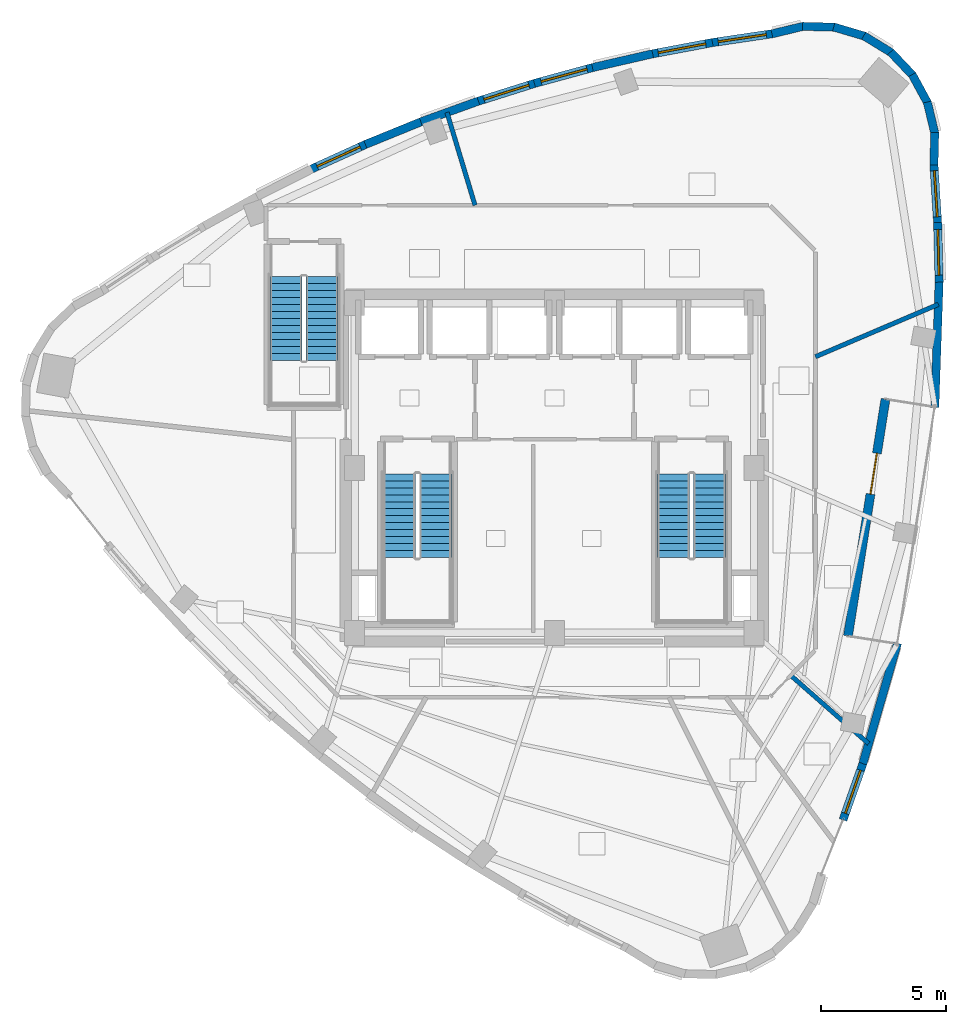
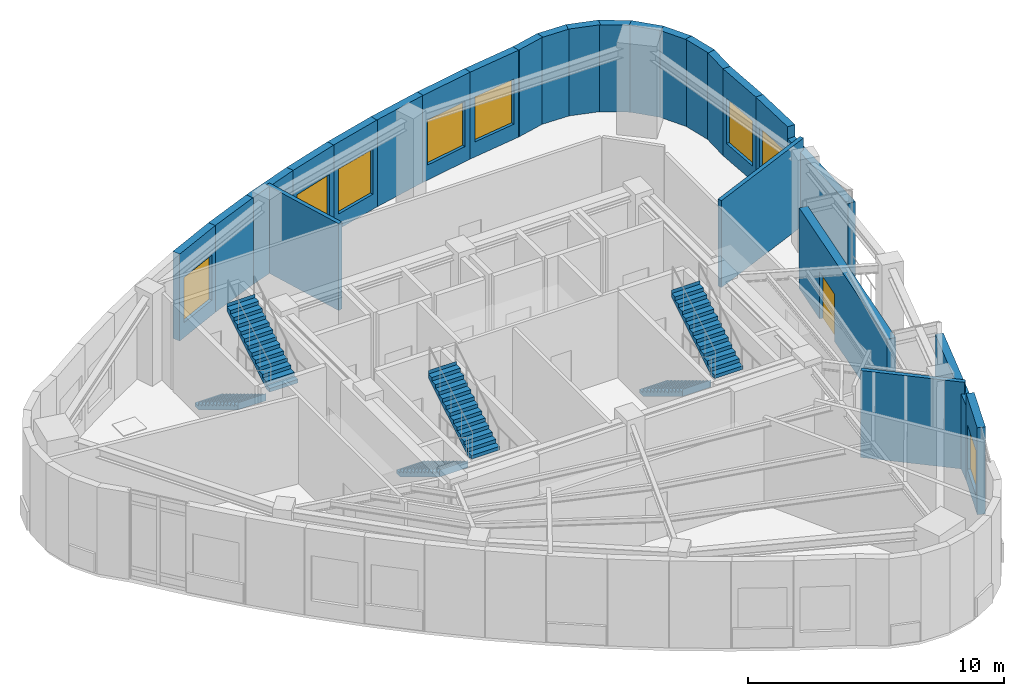
# One storey, part 11 of 14: 25 walls, 8 windows, 6 stair flights, 1 door, 9 openings, 3 elements without a shape of their own.
"""IFC4 building model written with IfcOpenShell, lengths in metres."""

from ifc_helpers import new_model, si_unit, direction, frame, frame_2d, origin, place, context, subcontext, project, spatial, polyline, rectangle, outline, extrude, material, layer, layer_set, type_object, element, fill, aggregate, save


model = new_model("IFC4")

# Units and contexts
model_context = context("Model", 3, precision=1e-05, world=origin(), true_north=direction((0.0, 1.0)))
body_context = subcontext(model_context, "Body", "Model", "MODEL_VIEW")
ifc_project = project(units=[si_unit("LENGTHUNIT", "METRE"), si_unit("AREAUNIT", "SQUARE_METRE"), si_unit("VOLUMEUNIT", "CUBIC_METRE"), si_unit("PLANEANGLEUNIT", "RADIAN"), si_unit("MASSUNIT", "GRAM", prefix="KILO")], contexts=[model_context])

# Site, building, storey
site_placement = place(None, origin())
site = spatial("IfcSite", under=ifc_project, at=site_placement, CompositionType="ELEMENT")
building_placement = place(site_placement, origin())
building = spatial("IfcBuilding", under=site, at=building_placement, Name="Ndelora Gate Hotel", CompositionType="ELEMENT")
storey_placement = place(building_placement, frame((0.0, 0.0, 277.199951171875)))
storey = spatial("IfcBuildingStorey", under=building, at=storey_placement, Name="L69", CompositionType="ELEMENT", Elevation=277.199951171875)

# Walls
ifc_material_1 = material(Name="Acoustic Double-Stud Gypsum Assembly", Category="gypsum")
ifc_layer_1 = layer(ifc_material_1, 0.179931640625)
ifc_layer_set_1 = layer_set([ifc_layer_1], Name="Acoustic Double-Stud Gypsum Assembly")
wall_type_1 = type_object("IfcWallType", Name="WL-ACOUST-180", PredefinedType="PARTITIONING", material=ifc_layer_set_1)
wall_1_placement = place(storey_placement, frame((9.464111328125, -8.3037109375, 0.0), z_axis=(0.0, 0.0, 1.0), x_axis=(0.75169660728, -0.659509067871, 0.0)))
element("IfcWall", 1, at=wall_1_placement, inside=storey, type_object=wall_type_1, Name="L69 Interior Wall IW-3", PredefinedType="PARTITIONING", context=body_context, shape_type="SweptSolid", body=[
    extrude(rectangle(XDim=4.14453125, YDim=0.179931640625, at=frame_2d((2.072265625, 0.0))), origin(), (0.0, 0.0, 1.0), 4.150146484375),
])
wall_2_placement = place(storey_placement, frame((10.449951171875, 4.455810546875, 0.0), z_axis=(0.0, 0.0, 1.0), x_axis=(0.919881986763, 0.392195270789, 0.0)))
element("IfcWall", 2, at=wall_2_placement, inside=storey, type_object=wall_type_1, Name="L69 Interior Wall IW-3", PredefinedType="PARTITIONING", context=body_context, shape_type="SweptSolid", body=[
    extrude(rectangle(XDim=5.3515625, YDim=0.179931640625, at=frame_2d((2.67578125, 0.0))), origin(), (0.0, 0.0, 1.0), 4.150146484375),
])
wall_3_placement = place(storey_placement, frame((-3.178955078125, 10.52001953125, 0.0), z_axis=(0.0, 0.0, 1.0), x_axis=(-0.289285022423, 0.957243007706, 0.0)))
element("IfcWall", 3, at=wall_3_placement, inside=storey, type_object=wall_type_1, Name="L69 Interior Wall IW-3", PredefinedType="PARTITIONING", context=body_context, shape_type="SweptSolid", body=[
    extrude(rectangle(XDim=3.8837890625, YDim=0.179931640625, at=frame_2d((1.94189453125, 0.0))), origin(), (0.0, 0.0, 1.0), 4.150146484375),
])

# Wall, opening, window
ifc_material_2 = material(Name="Clay Brick Masonry", Category="masonry")
ifc_layer_2 = layer(ifc_material_2, 0.330078125)
ifc_layer_set_2 = layer_set([ifc_layer_2], Name="Clay Brick Masonry")
wall_type_2 = type_object("IfcWallType", Name="WL-BRICK-330", PredefinedType="SOLIDWALL", material=ifc_layer_set_2)
wall_4_placement = place(storey_placement, frame((12.351806640625, -11.8359375, 0.0), z_axis=(0.0, 0.0, 1.0), x_axis=(-0.333391562563, -0.942788452418, 0.0)))
wall_4 = element("IfcWall", 4, at=wall_4_placement, inside=storey, type_object=wall_type_2, Name="L69 Tower Brick Pier-and-Spandrel Wall TWR-30", PredefinedType="SOLIDWALL", context=body_context, shape_type="SweptSolid", body=[
    extrude(rectangle(XDim=2.390869140625, YDim=0.330078125, at=frame_2d((1.1953125, 0.0))), origin(), (0.0, 0.0, 1.0), 4.150146484375),
])
opening_1_placement = place(wall_4_placement, frame((0.280517578125, 0.0, 0.719970703125)))
opening_1 = element("IfcOpeningElement", 5, at=opening_1_placement, cuts=wall_4, Name="Opening W05", PredefinedType="OPENING", context=body_context, shape_type="SweptSolid", body=[
    extrude(rectangle(XDim=1.830078125, YDim=2.14990234375, at=frame_2d((0.9150390625, 1.074951171875))), frame((0.0, 0.175048828125, 0.0), z_axis=(0.0, -1.0, 0.0), x_axis=(1.0, 0.0, 0.0)), (0.0, 0.0, 1.0), 0.35009765625),
])
ifc_material_3 = material(Name="Insulated Low-E Double Glazing in Bronze Aluminium Frame", Category="aluminium")
window_type = type_object("IfcWindowType", Name="WN-SKY-2000", PartitioningType="SINGLE_PANEL", PredefinedType="WINDOW", material=ifc_material_3)
window_1_placement = place(opening_1_placement, origin())
window_1 = element("IfcWindow", 6, at=window_1_placement, inside=storey, type_object=window_type, Name="L69 Deep-Set Brick-Pier Window W05", OverallHeight=2.14990234375, OverallWidth=1.830078125, PartitioningType="SINGLE_PANEL", PredefinedType="WINDOW", context=body_context, shape_type="SweptSolid", body=[
    extrude(rectangle(XDim=1.830078125, YDim=2.14990234375, at=frame_2d((0.9150390625, 1.074951171875))), frame((0.0, 0.030029296875, 0.0), z_axis=(0.0, -1.0, 0.0), x_axis=(1.0, 0.0, 0.0)), (0.0, 0.0, 1.0), 0.06005859375),
])
fill(opening_1, window_1)

# Walls
for number, where, z_axis, x_axis, name in (
    (7, (13.736572265625, -7.010498046875, 0.0), (0.0, 0.0, 1.0), (-0.276151755944, -0.9611140451, 0.0), "L69 Tower Brick Pier-and-Spandrel Wall TWR-31"),
    (8, (15.40478515625, 7.48974609375, 0.0), (0.0, 0.0, 1.0), (-0.034379356457, -0.999408855199, 0.0), "L69 Tower Brick Pier-and-Spandrel Wall TWR-36"),
):
    element("IfcWall", number, at=place(storey_placement, frame(where, z_axis=z_axis, x_axis=x_axis)), inside=storey, type_object=wall_type_2, Name=name, PredefinedType="SOLIDWALL", context=body_context, shape_type="SweptSolid", body=[
        extrude(rectangle(XDim=5.0703125, YDim=0.330078125, at=frame_2d((2.53515625, 0.0))), origin(), (0.0, 0.0, 1.0), 3.580078125),
    ])

# Wall, opening, window
wall_5_placement = place(storey_placement, frame((15.34326171875, 9.829833984375, 0.0), z_axis=(0.0, 0.0, 1.0), x_axis=(0.025629984269, -0.999671497996, 0.0)))
wall_5 = element("IfcWall", 9, at=wall_5_placement, inside=storey, type_object=wall_type_2, Name="L69 Tower Brick Pier-and-Spandrel Wall TWR-37", PredefinedType="SOLIDWALL", context=body_context, shape_type="SweptSolid", body=[
    extrude(rectangle(XDim=2.390869140625, YDim=0.330078125, at=frame_2d((1.1953125, 0.0))), origin(), (0.0, 0.0, 1.0), 4.150146484375),
])
opening_2_placement = place(wall_5_placement, frame((0.280517578125, 0.0, 0.719970703125)))
opening_2 = element("IfcOpeningElement", 10, at=opening_2_placement, cuts=wall_5, Name="Opening W05", PredefinedType="OPENING", context=body_context, shape_type="SweptSolid", body=[
    extrude(rectangle(XDim=1.830078125, YDim=2.14990234375, at=frame_2d((0.9150390625, 1.074951171875))), frame((0.0, 0.175048828125, 0.0), z_axis=(0.0, -1.0, 0.0), x_axis=(1.0, 0.0, 0.0)), (0.0, 0.0, 1.0), 0.35009765625),
])
window_2_placement = place(opening_2_placement, origin())
window_2 = element("IfcWindow", 11, at=window_2_placement, inside=storey, type_object=window_type, Name="L69 Deep-Set Brick-Pier Window W05", OverallHeight=2.14990234375, OverallWidth=1.830078125, PartitioningType="SINGLE_PANEL", PredefinedType="WINDOW", context=body_context, shape_type="SweptSolid", body=[
    extrude(rectangle(XDim=1.830078125, YDim=2.14990234375, at=frame_2d((0.9150390625, 1.074951171875))), frame((0.0, 0.030029296875, 0.0), z_axis=(0.0, -1.0, 0.0), x_axis=(1.0, 0.0, 0.0)), (0.0, 0.0, 1.0), 0.06005859375),
])
fill(opening_2, window_2)

wall_6_placement = place(storey_placement, frame((15.193359375, 12.183837890625, 0.0), z_axis=(0.0, 0.0, 1.0), x_axis=(0.063141753452, -0.998004568612, 0.0)))
wall_6 = element("IfcWall", 12, at=wall_6_placement, inside=storey, type_object=wall_type_2, Name="L69 Tower Brick Pier-and-Spandrel Wall TWR-38", PredefinedType="SOLIDWALL", context=body_context, shape_type="SweptSolid", body=[
    extrude(rectangle(XDim=2.408935546875, YDim=0.330078125, at=frame_2d((1.20458984375, 0.0))), origin(), (0.0, 0.0, 1.0), 4.150146484375),
])
opening_3_placement = place(wall_6_placement, frame((0.279296875, 0.0, 0.719970703125)))
opening_3 = element("IfcOpeningElement", 13, at=opening_3_placement, cuts=wall_6, Name="Opening W05", PredefinedType="OPENING", context=body_context, shape_type="SweptSolid", body=[
    extrude(rectangle(XDim=1.85009765625, YDim=2.14990234375, at=frame_2d((0.925048828125, 1.074951171875))), frame((0.0, 0.175048828125, 0.0), z_axis=(0.0, -1.0, 0.0), x_axis=(1.0, 0.0, 0.0)), (0.0, 0.0, 1.0), 0.35009765625),
])
window_3_placement = place(opening_3_placement, origin())
window_3 = element("IfcWindow", 14, at=window_3_placement, inside=storey, type_object=window_type, Name="L69 Deep-Set Brick-Pier Window W05", OverallHeight=2.14990234375, OverallWidth=1.85009765625, PartitioningType="SINGLE_PANEL", PredefinedType="WINDOW", context=body_context, shape_type="SweptSolid", body=[
    extrude(rectangle(XDim=1.85009765625, YDim=2.14990234375, at=frame_2d((0.925048828125, 1.074951171875))), frame((0.0, 0.030029296875, 0.0), z_axis=(0.0, -1.0, 0.0), x_axis=(1.0, 0.0, 0.0)), (0.0, 0.0, 1.0), 0.06005859375),
])
fill(opening_3, window_3)

# Walls
wall_7_placement = place(storey_placement, frame((15.228515625, 13.4365234375, 0.0), z_axis=(0.0, 0.0, 1.0), x_axis=(-0.026227855826, -0.999655990618, 0.0)))
element("IfcWall", 15, at=wall_7_placement, inside=storey, type_object=wall_type_2, Name="L69 Tower Brick Pier-and-Spandrel Wall TWR-39", PredefinedType="SOLIDWALL", context=body_context, shape_type="SweptSolid", body=[
    extrude(rectangle(XDim=1.30322265625, YDim=0.330078125, at=frame_2d((0.651611328125, 0.0))), origin(), (0.0, 0.0, 1.0), 4.150146484375),
])
wall_8_placement = place(storey_placement, frame((14.929443359375, 14.654296875, 0.0), z_axis=(0.0, 0.0, 1.0), x_axis=(0.233443812137, -0.972370292931, 0.0)))
element("IfcWall", 16, at=wall_8_placement, inside=storey, type_object=wall_type_2, Name="L69 Tower Brick Pier-and-Spandrel Wall TWR-40", PredefinedType="SOLIDWALL", context=body_context, shape_type="SweptSolid", body=[
    extrude(rectangle(XDim=1.302978515625, YDim=0.330078125, at=frame_2d((0.6513671875, 0.0))), origin(), (0.0, 0.0, 1.0), 4.150146484375),
])
for number, where, z_axis, x_axis, name in (
    (17, (14.325439453125, 15.753173828125, 0.0), (0.0, 0.0, 1.0), (0.477158009766, -0.878817520146, 0.0), "L69 Tower Brick Pier-and-Spandrel Wall TWR-41"),
    (18, (13.45751953125, 16.658203125, 0.0), (0.0, 0.0, 1.0), (0.688316050819, -0.725410927809, 0.0), "L69 Tower Brick Pier-and-Spandrel Wall TWR-42"),
    (19, (12.385009765625, 17.307861328125, 0.0), (0.0, 0.0, 1.0), (0.852628177474, -0.522518125022, 0.0), "L69 Tower Brick Pier-and-Spandrel Wall TWR-43"),
    (20, (11.180908203125, 17.65771484375, 0.0), (0.0, 0.0, 1.0), (0.958820789243, -0.284011785169, 0.0), "L69 Tower Brick Pier-and-Spandrel Wall TWR-44"),
    (21, (9.92724609375, 17.68408203125, 0.0), (0.0, 0.0, 1.0), (0.999655990618, -0.026227855826, 0.0), "L69 Tower Brick Pier-and-Spandrel Wall TWR-45"),
):
    element("IfcWall", number, at=place(storey_placement, frame(where, z_axis=z_axis, x_axis=x_axis)), inside=storey, type_object=wall_type_2, Name=name, PredefinedType="SOLIDWALL", context=body_context, shape_type="SweptSolid", body=[
        extrude(rectangle(XDim=1.30322265625, YDim=0.330078125, at=frame_2d((0.651611328125, 0.0))), origin(), (0.0, 0.0, 1.0), 4.150146484375),
    ])
wall_9_placement = place(storey_placement, frame((8.709716796875, 17.385009765625, 0.0), z_axis=(0.0, 0.0, 1.0), x_axis=(0.972360080062, 0.233486347997, 0.0)))
element("IfcWall", 22, at=wall_9_placement, inside=storey, type_object=wall_type_2, Name="L69 Tower Brick Pier-and-Spandrel Wall TWR-46", PredefinedType="SOLIDWALL", context=body_context, shape_type="SweptSolid", body=[
    extrude(rectangle(XDim=1.302978515625, YDim=0.330078125, at=frame_2d((0.6513671875, 0.0))), origin(), (0.0, 0.0, 1.0), 4.150146484375),
])

# Wall, opening, window
wall_10_placement = place(storey_placement, frame((6.279296875, 17.027099609375, 0.0), z_axis=(0.0, 0.0, 1.0), x_axis=(0.989195615859, 0.146601615152, 0.0)))
wall_10 = element("IfcWall", 23, at=wall_10_placement, inside=storey, type_object=wall_type_2, Name="L69 Tower Brick Pier-and-Spandrel Wall TWR-47", PredefinedType="SOLIDWALL", context=body_context, shape_type="SweptSolid", body=[
    extrude(rectangle(XDim=2.50634765625, YDim=0.330078125, at=frame_2d((1.253173828125, 0.0))), origin(), (0.0, 0.0, 1.0), 4.150146484375),
])
opening_4_placement = place(wall_10_placement, frame((0.2783203125, 0.0, 0.719970703125)))
opening_4 = element("IfcOpeningElement", 24, at=opening_4_placement, cuts=wall_10, Name="Opening W05", PredefinedType="OPENING", context=body_context, shape_type="SweptSolid", body=[
    extrude(rectangle(XDim=1.949951171875, YDim=2.14990234375, at=frame_2d((0.97509765625, 1.074951171875))), frame((0.0, 0.175048828125, 0.0), z_axis=(0.0, -1.0, 0.0), x_axis=(1.0, 0.0, 0.0)), (0.0, 0.0, 1.0), 0.35009765625),
])
window_4_placement = place(opening_4_placement, origin())
window_4 = element("IfcWindow", 25, at=window_4_placement, inside=storey, type_object=window_type, Name="L69 Deep-Set Brick-Pier Window W05", OverallHeight=2.14990234375, OverallWidth=1.949951171875, PartitioningType="SINGLE_PANEL", PredefinedType="WINDOW", context=body_context, shape_type="SweptSolid", body=[
    extrude(rectangle(XDim=1.949951171875, YDim=2.14990234375, at=frame_2d((0.97509765625, 1.074951171875))), frame((0.0, 0.030029296875, 0.0), z_axis=(0.0, -1.0, 0.0), x_axis=(1.0, 0.0, 0.0)), (0.0, 0.0, 1.0), 0.06005859375),
])
fill(opening_4, window_4)

wall_11_placement = place(storey_placement, frame((3.884033203125, 16.575439453125, 0.0), z_axis=(0.0, 0.0, 1.0), x_axis=(0.982755323562, 0.184910719024, 0.0)))
wall_11 = element("IfcWall", 26, at=wall_11_placement, inside=storey, type_object=wall_type_2, Name="L69 Tower Brick Pier-and-Spandrel Wall TWR-48", PredefinedType="SOLIDWALL", context=body_context, shape_type="SweptSolid", body=[
    extrude(rectangle(XDim=2.487548828125, YDim=0.330078125, at=frame_2d((1.24365234375, 0.0))), origin(), (0.0, 0.0, 1.0), 4.150146484375),
])
opening_5_placement = place(wall_11_placement, frame((0.27880859375, 0.0, 0.719970703125)))
opening_5 = element("IfcOpeningElement", 27, at=opening_5_placement, cuts=wall_11, Name="Opening W05", PredefinedType="OPENING", context=body_context, shape_type="SweptSolid", body=[
    extrude(rectangle(XDim=1.929931640625, YDim=2.14990234375, at=frame_2d((0.96484375, 1.074951171875))), frame((0.0, 0.175048828125, 0.0), z_axis=(0.0, -1.0, 0.0), x_axis=(1.0, 0.0, 0.0)), (0.0, 0.0, 1.0), 0.35009765625),
])
window_5_placement = place(opening_5_placement, origin())
window_5 = element("IfcWindow", 28, at=window_5_placement, inside=storey, type_object=window_type, Name="L69 Deep-Set Brick-Pier Window W05", OverallHeight=2.14990234375, OverallWidth=1.929931640625, PartitioningType="SINGLE_PANEL", PredefinedType="WINDOW", context=body_context, shape_type="SweptSolid", body=[
    extrude(rectangle(XDim=1.929931640625, YDim=2.14990234375, at=frame_2d((0.96484375, 1.074951171875))), frame((0.0, 0.030029296875, 0.0), z_axis=(0.0, -1.0, 0.0), x_axis=(1.0, 0.0, 0.0)), (0.0, 0.0, 1.0), 0.06005859375),
])
fill(opening_5, window_5)

# Wall
wall_12_placement = place(storey_placement, frame((1.523681640625, 16.032958984375, 0.0), z_axis=(0.0, 0.0, 1.0), x_axis=(0.974681670362, 0.223597051545, 0.0)))
element("IfcWall", 29, at=wall_12_placement, inside=storey, type_object=wall_type_2, Name="L69 Tower Brick Pier-and-Spandrel Wall TWR-49", PredefinedType="SOLIDWALL", context=body_context, shape_type="SweptSolid", body=[
    extrude(rectangle(XDim=2.471923828125, YDim=0.330078125, at=frame_2d((1.23583984375, 0.0))), origin(), (0.0, 0.0, 1.0), 4.150146484375),
])

# Wall, opening, window
wall_13_placement = place(storey_placement, frame((-0.801513671875, 15.3994140625, 0.0), z_axis=(0.0, 0.0, 1.0), x_axis=(0.964933096461, 0.262495941596, 0.0)))
wall_13 = element("IfcWall", 30, at=wall_13_placement, inside=storey, type_object=wall_type_2, Name="L69 Tower Brick Pier-and-Spandrel Wall TWR-50", PredefinedType="SOLIDWALL", context=body_context, shape_type="SweptSolid", body=[
    extrude(rectangle(XDim=2.4599609375, YDim=0.330078125, at=frame_2d((1.22998046875, 0.0))), origin(), (0.0, 0.0, 1.0), 4.150146484375),
])
opening_6_placement = place(wall_13_placement, frame((0.280029296875, 0.0, 0.719970703125)))
opening_6 = element("IfcOpeningElement", 31, at=opening_6_placement, cuts=wall_13, Name="Opening W05", PredefinedType="OPENING", context=body_context, shape_type="SweptSolid", body=[
    extrude(rectangle(XDim=1.89990234375, YDim=2.14990234375, at=frame_2d((0.949951171875, 1.074951171875))), frame((0.0, 0.175048828125, 0.0), z_axis=(0.0, -1.0, 0.0), x_axis=(1.0, 0.0, 0.0)), (0.0, 0.0, 1.0), 0.35009765625),
])
window_6_placement = place(opening_6_placement, origin())
window_6 = element("IfcWindow", 32, at=window_6_placement, inside=storey, type_object=window_type, Name="L69 Deep-Set Brick-Pier Window W05", OverallHeight=2.14990234375, OverallWidth=1.89990234375, PartitioningType="SINGLE_PANEL", PredefinedType="WINDOW", context=body_context, shape_type="SweptSolid", body=[
    extrude(rectangle(XDim=1.89990234375, YDim=2.14990234375, at=frame_2d((0.949951171875, 1.074951171875))), frame((0.0, 0.030029296875, 0.0), z_axis=(0.0, -1.0, 0.0), x_axis=(1.0, 0.0, 0.0)), (0.0, 0.0, 1.0), 0.06005859375),
])
fill(opening_6, window_6)

wall_14_placement = place(storey_placement, frame((-3.091796875, 14.675537109375, 0.0), z_axis=(0.0, 0.0, 1.0), x_axis=(0.953629301066, 0.300983647643, 0.0)))
wall_14 = element("IfcWall", 33, at=wall_14_placement, inside=storey, type_object=wall_type_2, Name="L69 Tower Brick Pier-and-Spandrel Wall TWR-51", PredefinedType="SOLIDWALL", context=body_context, shape_type="SweptSolid", body=[
    extrude(rectangle(XDim=2.4521484375, YDim=0.330078125, at=frame_2d((1.22607421875, 0.0))), origin(), (0.0, 0.0, 1.0), 4.150146484375),
])
opening_7_placement = place(wall_14_placement, frame((0.281005859375, 0.0, 0.719970703125)))
opening_7 = element("IfcOpeningElement", 34, at=opening_7_placement, cuts=wall_14, Name="Opening W05", PredefinedType="OPENING", context=body_context, shape_type="SweptSolid", body=[
    extrude(rectangle(XDim=1.889892578125, YDim=2.14990234375, at=frame_2d((0.94482421875, 1.074951171875))), frame((0.0, 0.175048828125, 0.0), z_axis=(0.0, -1.0, 0.0), x_axis=(1.0, 0.0, 0.0)), (0.0, 0.0, 1.0), 0.35009765625),
])
window_7_placement = place(opening_7_placement, origin())
window_7 = element("IfcWindow", 35, at=window_7_placement, inside=storey, type_object=window_type, Name="L69 Deep-Set Brick-Pier Window W05", OverallHeight=2.14990234375, OverallWidth=1.889892578125, PartitioningType="SINGLE_PANEL", PredefinedType="WINDOW", context=body_context, shape_type="SweptSolid", body=[
    extrude(rectangle(XDim=1.889892578125, YDim=2.14990234375, at=frame_2d((0.94482421875, 1.074951171875))), frame((0.0, 0.030029296875, 0.0), z_axis=(0.0, -1.0, 0.0), x_axis=(1.0, 0.0, 0.0)), (0.0, 0.0, 1.0), 0.06005859375),
])
fill(opening_7, window_7)

# Walls
for number, where, z_axis, x_axis, name in (
    (36, (-5.347412109375, 13.860595703125, 0.0), (0.0, 0.0, 1.0), (0.940660924574, 0.33934794088, 0.0), "L69 Tower Brick Pier-and-Spandrel Wall TWR-52"),
    (37, (-7.568115234375, 12.955078125, 0.0), (0.0, 0.0, 1.0), (0.926147843888, 0.377160670355, 0.0), "L69 Tower Brick Pier-and-Spandrel Wall TWR-53"),
):
    element("IfcWall", number, at=place(storey_placement, frame(where, z_axis=z_axis, x_axis=x_axis)), inside=storey, type_object=wall_type_2, Name=name, PredefinedType="SOLIDWALL", context=body_context, shape_type="SweptSolid", body=[
        extrude(rectangle(XDim=2.4482421875, YDim=0.330078125, at=frame_2d((1.22412109375, 0.0))), origin(), (0.0, 0.0, 1.0), 4.150146484375),
    ])

# Wall, opening, window
wall_15_placement = place(storey_placement, frame((-9.75390625, 11.958740234375, 0.0), z_axis=(0.0, 0.0, 1.0), x_axis=(0.910103748432, 0.414380461763, 0.0)))
wall_15 = element("IfcWall", 38, at=wall_15_placement, inside=storey, type_object=wall_type_2, Name="L69 Tower Brick Pier-and-Spandrel Wall TWR-54", PredefinedType="SOLIDWALL", context=body_context, shape_type="SweptSolid", body=[
    extrude(rectangle(XDim=2.4521484375, YDim=0.330078125, at=frame_2d((1.22607421875, 0.0))), origin(), (0.0, 0.0, 1.0), 4.150146484375),
])
opening_8_placement = place(wall_15_placement, frame((0.281005859375, 0.0, 0.719970703125)))
opening_8 = element("IfcOpeningElement", 39, at=opening_8_placement, cuts=wall_15, Name="Opening W05", PredefinedType="OPENING", context=body_context, shape_type="SweptSolid", body=[
    extrude(rectangle(XDim=1.889892578125, YDim=2.14990234375, at=frame_2d((0.94482421875, 1.074951171875))), frame((0.0, 0.175048828125, 0.0), z_axis=(0.0, -1.0, 0.0), x_axis=(1.0, 0.0, 0.0)), (0.0, 0.0, 1.0), 0.35009765625),
])
window_8_placement = place(opening_8_placement, origin())
window_8 = element("IfcWindow", 40, at=window_8_placement, inside=storey, type_object=window_type, Name="L69 Deep-Set Brick-Pier Window W05", OverallHeight=2.14990234375, OverallWidth=1.889892578125, PartitioningType="SINGLE_PANEL", PredefinedType="WINDOW", context=body_context, shape_type="SweptSolid", body=[
    extrude(rectangle(XDim=1.889892578125, YDim=2.14990234375, at=frame_2d((0.94482421875, 1.074951171875))), frame((0.0, 0.030029296875, 0.0), z_axis=(0.0, -1.0, 0.0), x_axis=(1.0, 0.0, 0.0)), (0.0, 0.0, 1.0), 0.06005859375),
])
fill(opening_8, window_8)

# Wall, opening, door
ifc_layer_3 = layer(ifc_material_2, 0.360107421875)
ifc_layer_set_3 = layer_set([ifc_layer_3], Name="Clay Brick Masonry")
wall_type_3 = type_object("IfcWallType", Name="WL-BRICK-360", PredefinedType="SOLIDWALL", material=ifc_layer_set_3)
wall_16_placement = place(storey_placement, frame((13.256103515625, 2.76025390625, 0.0), z_axis=(0.0, 0.0, 1.0), x_axis=(-0.156430085978, -0.987689034161, 0.0)))
wall_16 = element("IfcWall", 41, at=wall_16_placement, inside=storey, type_object=wall_type_3, Name="L69 Sky-Garden Loggia Rear Brick Wall", PredefinedType="SOLIDWALL", context=body_context, shape_type="SweptSolid", body=[
    extrude(rectangle(XDim=9.599853515625, YDim=0.360107421875, at=frame_2d((4.7998046875, 0.0))), origin(), (0.0, 0.0, 1.0), 3.860107421875),
])
opening_9_placement = place(wall_16_placement, frame((2.199951171875, 0.0, 0.0)))
opening_9 = element("IfcOpeningElement", 42, at=opening_9_placement, cuts=wall_16, Name="Opening TD1", PredefinedType="OPENING", context=body_context, shape_type="SweptSolid", body=[
    extrude(rectangle(XDim=1.64990234375, YDim=2.25, at=frame_2d((0.824951171875, 1.125))), frame((0.0, 0.18994140625, 0.0), z_axis=(0.0, -1.0, 0.0), x_axis=(1.0, 0.0, 0.0)), (0.0, 0.0, 1.0), 0.380126953125),
])
ifc_material_4 = material(Name="Architectural Bronze Glazed Door", Category="metal")
door_type = type_object("IfcDoorType", Name="DR-TER-1650", OperationType="DOUBLE_DOOR_SINGLE_SWING", PredefinedType="DOOR", material=ifc_material_4)
door_placement = place(opening_9_placement, origin())
door = element("IfcDoor", 43, at=door_placement, inside=storey, type_object=door_type, Name="L69 Sky-Garden Terrace Double Door TD1", OperationType="DOUBLE_DOOR_SINGLE_SWING", OverallHeight=2.25, OverallWidth=1.64990234375, PredefinedType="DOOR", context=body_context, shape_type="SweptSolid", body=[
    extrude(rectangle(XDim=1.64990234375, YDim=2.25, at=frame_2d((0.824951171875, 1.125))), frame((0.0, 0.02490234375, 0.0), z_axis=(0.0, -1.0, 0.0), x_axis=(1.0, 0.0, 0.0)), (0.0, 0.0, 1.0), 0.050048828125),
])
fill(opening_9, door)

# Stair, stair flights
ifc_material_5 = material(Name="Precast concrete C40/50", Category="concrete")
stair_type = type_object("IfcStairType", Name="STR-DOG-CORE", PredefinedType="HALF_TURN_STAIR", material=ifc_material_5)
stair_1_placement = place(storey_placement, origin())
stair_1 = element("IfcStair", 44, at=stair_1_placement, inside=storey, type_object=stair_type, Name="L69 Protected Core Exit Stair ST4", PredefinedType="HALF_TURN_STAIR")
stair_flight_type = type_object("IfcStairFlightType", Name="STF-PRECAST", PredefinedType="STRAIGHT", material=ifc_material_5)
stair_flight_1_placement = place(storey_placement, frame((-6.2099609375, -0.22998046875, 0.0), z_axis=(0.0, 0.0, 1.0), x_axis=(0.0, -1.0, 0.0)))
stair_flight_1 = element("IfcStairFlight", 45, at=stair_flight_1_placement, type_object=stair_flight_type, Name="ST4 flight 1", NumberOfRisers=13, NumberOfTreads=12, PredefinedType="STRAIGHT", RiserHeight=0.169230769, TreadLength=0.28, context=body_context, shape_type="SweptSolid", body=[
    extrude(outline(polyline([(-0.00048828125, 0.0), (-0.00048828125, 0.169189453125), (0.0, 0.169189453125), (0.280029296875, 0.169189453125), (0.280029296875, 0.33837890625), (0.56005859375, 0.33837890625), (0.56005859375, 0.5078125), (0.840087890625, 0.5078125), (0.840087890625, 0.677001953125), (1.1201171875, 0.677001953125), (1.1201171875, 0.84619140625), (1.39990234375, 0.84619140625), (1.39990234375, 1.015380859375), (1.679931640625, 1.015380859375), (1.679931640625, 1.1845703125), (1.9599609375, 1.1845703125), (1.9599609375, 1.353759765625), (2.239990234375, 1.353759765625), (2.239990234375, 1.523193359375), (2.52001953125, 1.523193359375), (2.52001953125, 1.6923828125), (2.800048828125, 1.6923828125), (2.800048828125, 1.861572265625), (3.080078125, 1.861572265625), (3.080078125, 2.03076171875), (3.360107421875, 2.03076171875), (3.360107421875, 2.199951171875), (3.360595703125, 2.199951171875), (3.360595703125, 2.02001953125), (3.360107421875, 1.855712890625), (0.289794921875, 0.0), (-0.00048828125, 0.0)])), frame((0.0, 0.64013671875, 0.0), z_axis=(0.0, -1.0, 0.0), x_axis=(1.0, 0.0, 0.0)), (0.0, 0.0, 1.0), 1.280029296875),
])
stair_flight_2_placement = place(storey_placement, frame((-4.77001953125, -3.590087890625, 2.199951171875), z_axis=(0.0, 0.0, 1.0), x_axis=(0.0, 1.0, 0.0)))
stair_flight_2 = element("IfcStairFlight", 46, at=stair_flight_2_placement, type_object=stair_flight_type, Name="ST4 flight 2", NumberOfRisers=13, NumberOfTreads=12, PredefinedType="STRAIGHT", RiserHeight=0.169230769, TreadLength=0.28, context=body_context, shape_type="SweptSolid", body=[
    extrude(outline(polyline([(-0.00048828125, 0.0), (-0.00048828125, 0.169189453125), (0.0, 0.169189453125), (0.280029296875, 0.169189453125), (0.280029296875, 0.33837890625), (0.56005859375, 0.33837890625), (0.56005859375, 0.5078125), (0.840087890625, 0.5078125), (0.840087890625, 0.677001953125), (1.1201171875, 0.677001953125), (1.1201171875, 0.84619140625), (1.39990234375, 0.84619140625), (1.39990234375, 1.015380859375), (1.679931640625, 1.015380859375), (1.679931640625, 1.1845703125), (1.9599609375, 1.1845703125), (1.9599609375, 1.353759765625), (2.239990234375, 1.353759765625), (2.239990234375, 1.523193359375), (2.52001953125, 1.523193359375), (2.52001953125, 1.6923828125), (2.800048828125, 1.6923828125), (2.800048828125, 1.861572265625), (3.080078125, 1.861572265625), (3.080078125, 2.03076171875), (3.360107421875, 2.03076171875), (3.360107421875, 2.199951171875), (3.360595703125, 2.199951171875), (3.360595703125, 2.02001953125), (3.360107421875, 1.855712890625), (0.289794921875, 0.0), (-0.00048828125, 0.0)])), frame((0.0, 0.64013671875, 0.0), z_axis=(0.0, -1.0, 0.0), x_axis=(1.0, 0.0, 0.0)), (0.0, 0.0, 1.0), 1.280029296875),
])
aggregate(stair_1, [stair_flight_1, stair_flight_2])

stair_2_placement = place(storey_placement, origin())
stair_2 = element("IfcStair", 47, at=stair_2_placement, inside=storey, type_object=stair_type, Name="L69 Protected Core Exit Stair ST5", PredefinedType="HALF_TURN_STAIR")
stair_flight_3_placement = place(storey_placement, frame((4.77001953125, -0.22998046875, 0.0), z_axis=(0.0, 0.0, 1.0), x_axis=(0.0, -1.0, 0.0)))
stair_flight_3 = element("IfcStairFlight", 48, at=stair_flight_3_placement, type_object=stair_flight_type, Name="ST5 flight 1", NumberOfRisers=13, NumberOfTreads=12, PredefinedType="STRAIGHT", RiserHeight=0.169230769, TreadLength=0.28, context=body_context, shape_type="SweptSolid", body=[
    extrude(outline(polyline([(-0.00048828125, 0.0), (-0.00048828125, 0.169189453125), (0.0, 0.169189453125), (0.280029296875, 0.169189453125), (0.280029296875, 0.33837890625), (0.56005859375, 0.33837890625), (0.56005859375, 0.5078125), (0.840087890625, 0.5078125), (0.840087890625, 0.677001953125), (1.1201171875, 0.677001953125), (1.1201171875, 0.84619140625), (1.39990234375, 0.84619140625), (1.39990234375, 1.015380859375), (1.679931640625, 1.015380859375), (1.679931640625, 1.1845703125), (1.9599609375, 1.1845703125), (1.9599609375, 1.353759765625), (2.239990234375, 1.353759765625), (2.239990234375, 1.523193359375), (2.52001953125, 1.523193359375), (2.52001953125, 1.6923828125), (2.800048828125, 1.6923828125), (2.800048828125, 1.861572265625), (3.080078125, 1.861572265625), (3.080078125, 2.03076171875), (3.360107421875, 2.03076171875), (3.360107421875, 2.199951171875), (3.360595703125, 2.199951171875), (3.360595703125, 2.02001953125), (3.360107421875, 1.855712890625), (0.289794921875, 0.0), (-0.00048828125, 0.0)])), frame((0.0, 0.64013671875, 0.0), z_axis=(0.0, -1.0, 0.0), x_axis=(1.0, 0.0, 0.0)), (0.0, 0.0, 1.0), 1.280029296875),
])
stair_flight_4_placement = place(storey_placement, frame((6.2099609375, -3.590087890625, 2.199951171875), z_axis=(0.0, 0.0, 1.0), x_axis=(0.0, 1.0, 0.0)))
stair_flight_4 = element("IfcStairFlight", 49, at=stair_flight_4_placement, type_object=stair_flight_type, Name="ST5 flight 2", NumberOfRisers=13, NumberOfTreads=12, PredefinedType="STRAIGHT", RiserHeight=0.169230769, TreadLength=0.28, context=body_context, shape_type="SweptSolid", body=[
    extrude(outline(polyline([(-0.00048828125, 0.0), (-0.00048828125, 0.169189453125), (0.0, 0.169189453125), (0.280029296875, 0.169189453125), (0.280029296875, 0.33837890625), (0.56005859375, 0.33837890625), (0.56005859375, 0.5078125), (0.840087890625, 0.5078125), (0.840087890625, 0.677001953125), (1.1201171875, 0.677001953125), (1.1201171875, 0.84619140625), (1.39990234375, 0.84619140625), (1.39990234375, 1.015380859375), (1.679931640625, 1.015380859375), (1.679931640625, 1.1845703125), (1.9599609375, 1.1845703125), (1.9599609375, 1.353759765625), (2.239990234375, 1.353759765625), (2.239990234375, 1.523193359375), (2.52001953125, 1.523193359375), (2.52001953125, 1.6923828125), (2.800048828125, 1.6923828125), (2.800048828125, 1.861572265625), (3.080078125, 1.861572265625), (3.080078125, 2.03076171875), (3.360107421875, 2.03076171875), (3.360107421875, 2.199951171875), (3.360595703125, 2.199951171875), (3.360595703125, 2.02001953125), (3.360107421875, 1.855712890625), (0.289794921875, 0.0), (-0.00048828125, 0.0)])), frame((0.0, 0.64013671875, 0.0), z_axis=(0.0, -1.0, 0.0), x_axis=(1.0, 0.0, 0.0)), (0.0, 0.0, 1.0), 1.280029296875),
])
aggregate(stair_2, [stair_flight_3, stair_flight_4])

stair_3_placement = place(storey_placement, origin())
stair_3 = element("IfcStair", 50, at=stair_3_placement, inside=storey, type_object=stair_type, Name="L69 Crown Observation Exit Stair ST6", PredefinedType="HALF_TURN_STAIR")
stair_flight_5_placement = place(storey_placement, frame((-10.75, 7.669921875, 0.0), z_axis=(0.0, 0.0, 1.0), x_axis=(0.0, -1.0, 0.0)))
stair_flight_5 = element("IfcStairFlight", 51, at=stair_flight_5_placement, type_object=stair_flight_type, Name="ST6 flight 1", NumberOfRisers=13, NumberOfTreads=12, PredefinedType="STRAIGHT", RiserHeight=0.169230769, TreadLength=0.28, context=body_context, shape_type="SweptSolid", body=[
    extrude(outline(polyline([(-0.00048828125, 0.0), (-0.00048828125, 0.169189453125), (0.0, 0.169189453125), (0.280029296875, 0.169189453125), (0.280029296875, 0.33837890625), (0.56005859375, 0.33837890625), (0.56005859375, 0.5078125), (0.840087890625, 0.5078125), (0.840087890625, 0.677001953125), (1.1201171875, 0.677001953125), (1.1201171875, 0.84619140625), (1.39990234375, 0.84619140625), (1.39990234375, 1.015380859375), (1.679931640625, 1.015380859375), (1.679931640625, 1.1845703125), (1.9599609375, 1.1845703125), (1.9599609375, 1.353759765625), (2.239990234375, 1.353759765625), (2.239990234375, 1.523193359375), (2.52001953125, 1.523193359375), (2.52001953125, 1.6923828125), (2.800048828125, 1.6923828125), (2.800048828125, 1.861572265625), (3.080078125, 1.861572265625), (3.080078125, 2.03076171875), (3.360107421875, 2.03076171875), (3.360107421875, 2.199951171875), (3.360595703125, 2.199951171875), (3.360595703125, 2.02001953125), (3.360107421875, 1.855712890625), (0.289794921875, 0.0), (-0.00048828125, 0.0)])), frame((0.0, 0.64013671875, 0.0), z_axis=(0.0, -1.0, 0.0), x_axis=(1.0, 0.0, 0.0)), (0.0, 0.0, 1.0), 1.280029296875),
])
stair_flight_6_placement = place(storey_placement, frame((-9.31005859375, 4.31005859375, 2.199951171875), z_axis=(0.0, 0.0, 1.0), x_axis=(0.0, 1.0, 0.0)))
stair_flight_6 = element("IfcStairFlight", 52, at=stair_flight_6_placement, type_object=stair_flight_type, Name="ST6 flight 2", NumberOfRisers=13, NumberOfTreads=12, PredefinedType="STRAIGHT", RiserHeight=0.169230769, TreadLength=0.28, context=body_context, shape_type="SweptSolid", body=[
    extrude(outline(polyline([(-0.00048828125, 0.0), (-0.00048828125, 0.169189453125), (0.0, 0.169189453125), (0.280029296875, 0.169189453125), (0.280029296875, 0.33837890625), (0.56005859375, 0.33837890625), (0.56005859375, 0.5078125), (0.840087890625, 0.5078125), (0.840087890625, 0.677001953125), (1.1201171875, 0.677001953125), (1.1201171875, 0.84619140625), (1.39990234375, 0.84619140625), (1.39990234375, 1.015380859375), (1.679931640625, 1.015380859375), (1.679931640625, 1.1845703125), (1.9599609375, 1.1845703125), (1.9599609375, 1.353759765625), (2.239990234375, 1.353759765625), (2.239990234375, 1.523193359375), (2.52001953125, 1.523193359375), (2.52001953125, 1.6923828125), (2.800048828125, 1.6923828125), (2.800048828125, 1.861572265625), (3.080078125, 1.861572265625), (3.080078125, 2.03076171875), (3.360107421875, 2.03076171875), (3.360107421875, 2.199951171875), (3.360595703125, 2.199951171875), (3.360595703125, 2.02001953125), (3.360107421875, 1.855712890625), (0.289794921875, 0.0), (-0.00048828125, 0.0)])), frame((0.0, 0.64013671875, 0.0), z_axis=(0.0, -1.0, 0.0), x_axis=(1.0, 0.0, 0.0)), (0.0, 0.0, 1.0), 1.280029296875),
])
aggregate(stair_3, [stair_flight_5, stair_flight_6])

save(model, "model.ifc")
